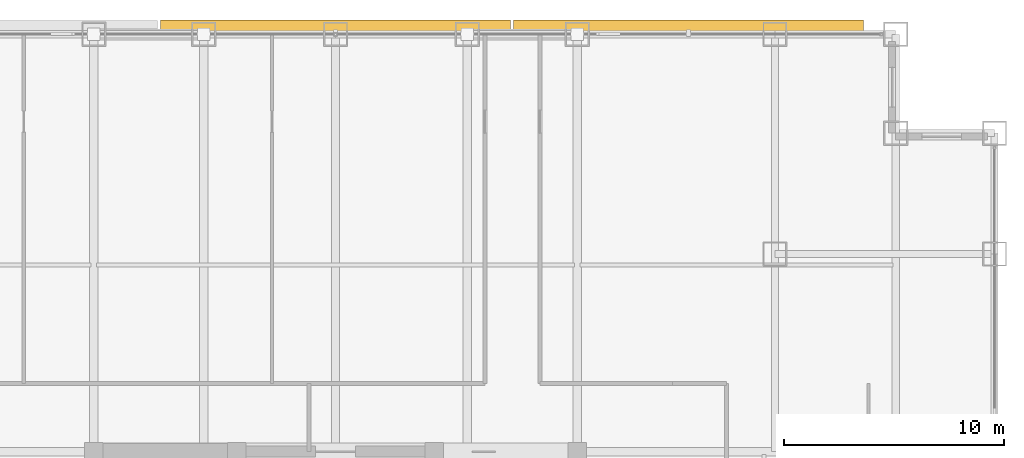
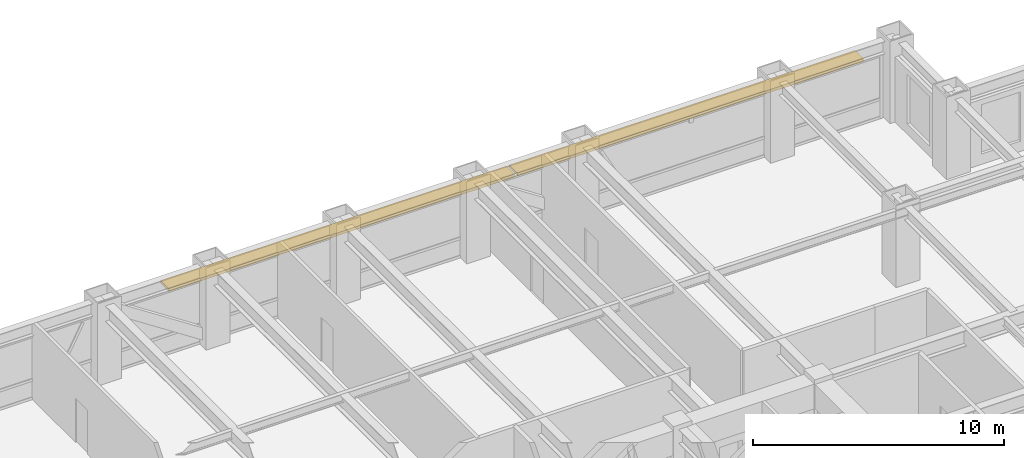
# One storey, part 28 of 28: 2 shading devices.
"""IFC4 building model written with IfcOpenShell, lengths in metres."""

from ifc_helpers import new_model, si_unit, direction, frame, origin, origin_2d, place, context, subcontext, project, spatial, rectangle, extrude, source, transform, mapped, material, layer, layer_set, type_object, element, save


model = new_model("IFC4")

# Units and contexts
model_context = context("Model", 3, precision=1e-05, world=origin(), true_north=direction((0.0, 1.0)))
body_context = subcontext(model_context, "Body", "Model", "MODEL_VIEW")
ifc_project = project(units=[si_unit("LENGTHUNIT", "METRE"), si_unit("AREAUNIT", "SQUARE_METRE"), si_unit("VOLUMEUNIT", "CUBIC_METRE"), si_unit("PLANEANGLEUNIT", "RADIAN"), si_unit("MASSUNIT", "GRAM", prefix="KILO")], contexts=[model_context])

# Site, building, storey
site_placement = place(None, origin())
site = spatial("IfcSite", under=ifc_project, at=site_placement, CompositionType="ELEMENT")
building_placement = place(site_placement, origin())
building = spatial("IfcBuilding", under=site, at=building_placement, Name="Khorayat Bourse Tower", CompositionType="ELEMENT")
storey_placement = place(building_placement, frame((0.0, 0.0, 187.10009765625)))
storey = spatial("IfcBuildingStorey", under=building, at=storey_placement, Name="L43", CompositionType="ELEMENT", Elevation=187.10009765625)

# Shading devices
ifc_material = material(Name="Precast concrete C45/55", Category="concrete")
ifc_layer = layer(ifc_material, 0.139892578125)
ifc_layer_set = layer_set([ifc_layer], Name="Precast concrete C45/55")
shading_device_type = type_object("IfcShadingDeviceType", Name="SHD-WAVE-TRAY-A", PredefinedType="USERDEFINED", material=ifc_layer_set)
shared_shape_1 = source(origin(), body_context, "Body", "SweptSolid", [
    extrude(rectangle(XDim=15.9267578125, YDim=0.6611328125, at=origin_2d()), origin(), (0.0, 0.0, 1.0), 0.139892578125),
])
shading_device_1_placement = place(storey_placement, frame((0.0, 30.310546875, 3.02978515625), z_axis=(0.0, 0.0, 1.0), x_axis=(1.0, 0.0, 0.0)))
element("IfcShadingDevice", 1, at=shading_device_1_placement, inside=storey, type_object=shading_device_type, Name="L43 Sinusoidal Wave Sunshade Tray N-2", ObjectType="SUNSHADE", PredefinedType="USERDEFINED", context=body_context, shape_type="MappedRepresentation", body=[
    mapped(shared_shape_1, transform((0.0, 0.0, 0.0), scale=1.0)),
])
shared_shape_2 = source(origin(), body_context, "Body", "SweptSolid", [
    extrude(rectangle(XDim=15.9267578125, YDim=0.67138671875, at=origin_2d()), origin(), (0.0, 0.0, 1.0), 0.139892578125),
])
shading_device_2_placement = place(storey_placement, frame((16.066650390625, 30.31591796875, 3.02978515625), z_axis=(0.0, 0.0, 1.0), x_axis=(1.0, 0.0, 0.0)))
element("IfcShadingDevice", 2, at=shading_device_2_placement, inside=storey, type_object=shading_device_type, Name="L43 Sinusoidal Wave Sunshade Tray N-3", ObjectType="SUNSHADE", PredefinedType="USERDEFINED", context=body_context, shape_type="MappedRepresentation", body=[
    mapped(shared_shape_2, transform((0.0, 0.0, 0.0), scale=1.0)),
])

save(model, "model.ifc")
